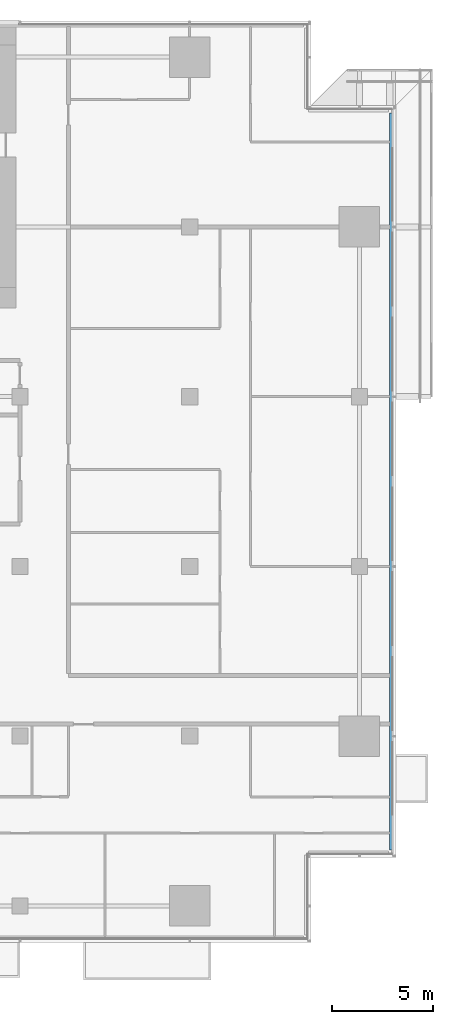
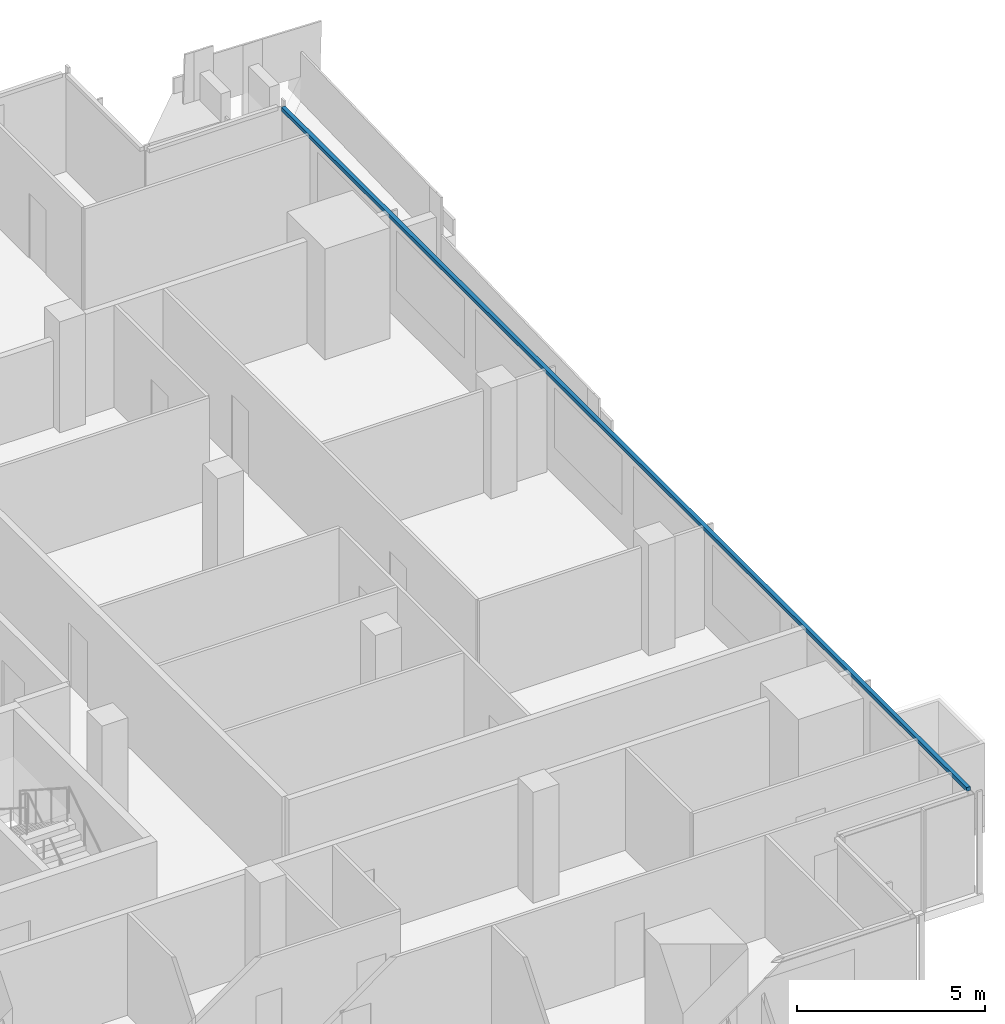
# One storey, part 13 of 29: 1 member, 1 element without a shape of its own.
"""IFC4 building model written with IfcOpenShell, lengths in metres."""

from ifc_helpers import new_model, si_unit, direction, frame, origin, origin_2d, place, context, subcontext, project, spatial, rectangle, extrude, material, material_profile, profile_set, type_object, element, aggregate, save


model = new_model("IFC4")

# Units and contexts
model_context = context("Model", 3, precision=1e-05, world=origin(), true_north=direction((0.0, 1.0)))
body_context = subcontext(model_context, "Body", "Model", "MODEL_VIEW")
ifc_project = project(units=[si_unit("LENGTHUNIT", "METRE"), si_unit("AREAUNIT", "SQUARE_METRE"), si_unit("VOLUMEUNIT", "CUBIC_METRE"), si_unit("PLANEANGLEUNIT", "RADIAN"), si_unit("MASSUNIT", "GRAM", prefix="KILO")], contexts=[model_context])

# Site, building, storey
site_placement = place(None, origin())
site = spatial("IfcSite", under=ifc_project, at=site_placement, CompositionType="ELEMENT")
building_placement = place(site_placement, origin())
building = spatial("IfcBuilding", under=site, at=building_placement, Name="Saffron Gate Tower", CompositionType="ELEMENT")
storey_placement = place(building_placement, frame((0.0, 0.0, 113.25)))
storey = spatial("IfcBuildingStorey", under=building, at=storey_placement, Name="L26", CompositionType="ELEMENT", Elevation=113.25)

# Curtain wall, member
ifc_material = material(Name="Aluminium, bronze anodised", Category="aluminium")
curtain_wall_type = type_object("IfcCurtainWallType", Name="CWS2 curtain wall side facades", PredefinedType="NOTDEFINED", material=ifc_material)
curtain_wall_placement = place(storey_placement, origin())
curtain_wall = element("IfcCurtainWall", 1, at=curtain_wall_placement, inside=storey, type_object=curtain_wall_type, Name="CWS2 run 4", PredefinedType="NOTDEFINED")
ifc_material_profile = material_profile(ifc_material, rectangle(XDim=0.1201171875, YDim=0.1201171875, at=origin_2d()))
ifc_profile_set = profile_set([ifc_material_profile], Name="Aluminium, bronze anodised")
member_type = type_object("IfcMemberType", Name="CWS2 head transom", PredefinedType="USERDEFINED", material=ifc_profile_set)
member_placement = place(storey_placement, frame((126.951904296875, 34.568115234375, 3.260009765625), z_axis=(0.0, 1.0, 0.0), x_axis=(-1.0, 0.0, 0.0)))
member = element("IfcMember", 2, at=member_placement, type_object=member_type, Name="CWS2 head transom", ObjectType="TRANSOM", PredefinedType="USERDEFINED", context=body_context, shape_type="SweptSolid", body=[
    extrude(rectangle(XDim=0.1201171875, YDim=0.1201171875, at=origin_2d()), origin(), (0.0, 0.0, 1.0), 36.4638671875),
])
aggregate(curtain_wall, [member])

save(model, "model.ifc")
